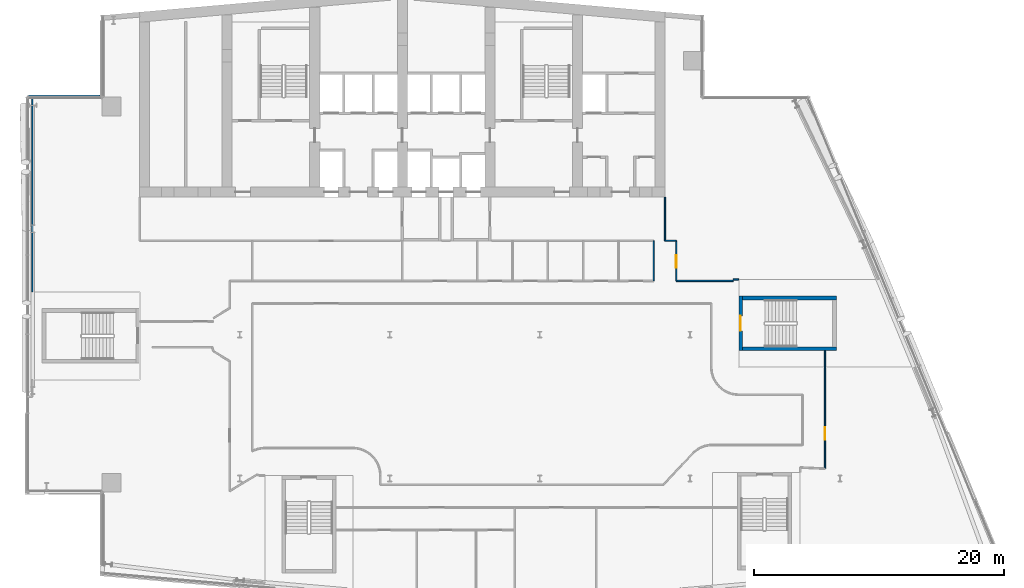
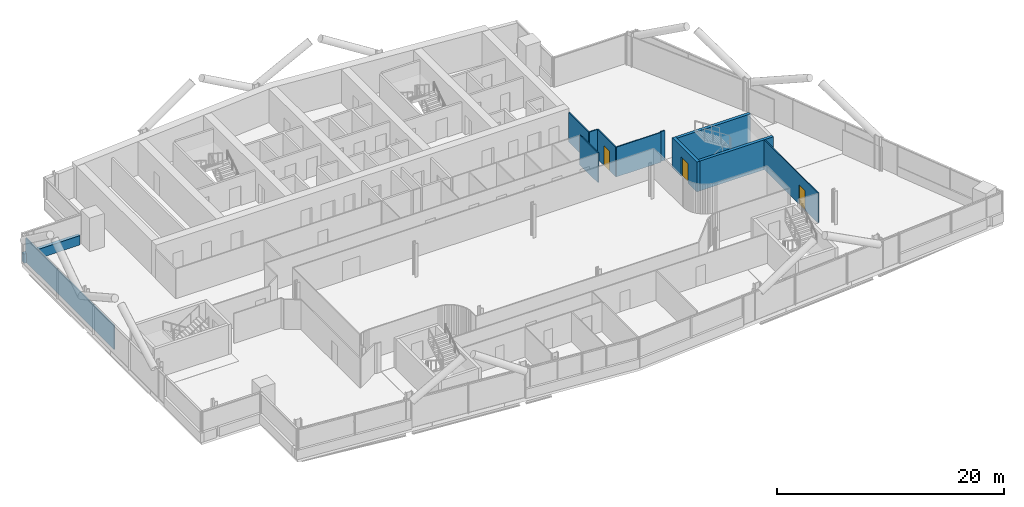
# One storey, part 19 of 29: 12 walls, 3 doors, 3 openings.
"""IFC4 building model written with IfcOpenShell, lengths in metres."""

from ifc_helpers import new_model, si_unit, direction, frame, frame_2d, origin, place, context, subcontext, project, spatial, rectangle, extrude, material, layer, layer_set, type_object, element, fill, save


model = new_model("IFC4")

# Units and contexts
model_context = context("Model", 3, precision=1e-05, world=origin(), true_north=direction((0.0, 1.0)))
body_context = subcontext(model_context, "Body", "Model", "MODEL_VIEW")
ifc_project = project(units=[si_unit("LENGTHUNIT", "METRE"), si_unit("AREAUNIT", "SQUARE_METRE"), si_unit("VOLUMEUNIT", "CUBIC_METRE"), si_unit("PLANEANGLEUNIT", "RADIAN"), si_unit("MASSUNIT", "GRAM", prefix="KILO")], contexts=[model_context])

# Site, building, storey
site_placement = place(None, origin())
site = spatial("IfcSite", under=ifc_project, at=site_placement, CompositionType="ELEMENT")
building_placement = place(site_placement, origin())
building = spatial("IfcBuilding", under=site, at=building_placement, Name="Wharfspan Tower", CompositionType="ELEMENT")
storey_placement = place(building_placement, frame((0.0, 0.0, 155.5)))
storey = spatial("IfcBuildingStorey", under=building, at=storey_placement, Name="L37", CompositionType="ELEMENT", Elevation=155.5)

# Walls
ifc_material_1 = material(Name="Gypsum board on steel studs", Category="steel")
ifc_layer_1 = layer(ifc_material_1, 0.100098)
ifc_layer_set_1 = layer_set([ifc_layer_1], Name="Gypsum board on steel studs")
wall_type_1 = type_object("IfcWallType", Name="Compartment wall 100 EI 60", PredefinedType="PARTITIONING", material=ifc_layer_set_1)
wall_1_placement = place(storey_placement, frame((57.100098, 27.300049, 0.0), z_axis=(0.0, 0.0, 1.0), x_axis=(0.0, 1.0, 0.0)))
element("IfcWall", 1, at=wall_1_placement, inside=storey, type_object=wall_type_1, Name="Partition L37.w062", PredefinedType="PARTITIONING", context=body_context, shape_type="SweptSolid", body=[
    extrude(rectangle(XDim=3.199951, YDim=0.100098, at=frame_2d((1.600098, 0.0))), origin(), (0.0, 0.0, 1.0), 3.199951),
])
wall_2_placement = place(storey_placement, frame((58.0, 30.5, 0.0), z_axis=(0.0, 0.0, 1.0), x_axis=(0.0, 1.0, 0.0)))
element("IfcWall", 2, at=wall_2_placement, inside=storey, type_object=wall_type_1, Name="Partition L37.w064", PredefinedType="PARTITIONING", context=body_context, shape_type="SweptSolid", body=[
    extrude(rectangle(XDim=3.47998, YDim=0.100098, at=frame_2d((1.73999, 0.0))), origin(), (0.0, 0.0, 1.0), 3.199951),
])
wall_3_placement = place(storey_placement, frame((58.0, 30.5, 0.0), z_axis=(0.0, 0.0, 1.0), x_axis=(1.0, 0.0, 0.0)))
element("IfcWall", 3, at=wall_3_placement, inside=storey, type_object=wall_type_1, Name="Partition L37.w065", PredefinedType="PARTITIONING", context=body_context, shape_type="SweptSolid", body=[
    extrude(rectangle(XDim=0.899902, YDim=0.100098, at=frame_2d((0.449951, 0.0))), origin(), (0.0, 0.0, 1.0), 3.199951),
])

# Wall, opening, door
wall_4_placement = place(storey_placement, frame((58.899902, 27.300049, 0.0), z_axis=(0.0, 0.0, 1.0), x_axis=(0.0, 1.0, 0.0)))
wall_4 = element("IfcWall", 4, at=wall_4_placement, inside=storey, type_object=wall_type_1, Name="Partition L37.w067", PredefinedType="PARTITIONING", context=body_context, shape_type="SweptSolid", body=[
    extrude(rectangle(XDim=3.199951, YDim=0.100098, at=frame_2d((1.600098, 0.0))), origin(), (0.0, 0.0, 1.0), 3.199951),
])
opening_1_placement = place(wall_4_placement, frame((1.044922, 0.0, 0.0)))
opening_1 = element("IfcOpeningElement", 5, at=opening_1_placement, cuts=wall_4, Name="Opening C2-17", PredefinedType="OPENING", context=body_context, shape_type="SweptSolid", body=[
    extrude(rectangle(XDim=1.0, YDim=2.100098, at=frame_2d((0.5, 1.050049))), frame((0.0, 0.060059, 0.0), z_axis=(0.0, -1.0, 0.0), x_axis=(1.0, 0.0, 0.0)), (0.0, 0.0, 1.0), 0.120117),
])
ifc_material_2 = material(Name="Fire-rated timber door leaf in steel frame", Category="steel")
door_type_1 = type_object("IfcDoorType", Name="Door 1000 FD30S Left", OperationType="SINGLE_SWING_LEFT", PredefinedType="DOOR", material=ifc_material_2)
door_1_placement = place(opening_1_placement, origin())
door_1 = element("IfcDoor", 6, at=door_1_placement, inside=storey, type_object=door_type_1, Name="Door C2-17", OperationType="SINGLE_SWING_LEFT", OverallHeight=2.100098, OverallWidth=1.0, PredefinedType="DOOR", context=body_context, shape_type="SweptSolid", body=[
    extrude(rectangle(XDim=1.0, YDim=2.100098, at=frame_2d((0.5, 1.050049))), frame((0.0, 0.024902, 0.0), z_axis=(0.0, -1.0, 0.0), x_axis=(1.0, 0.0, 0.0)), (0.0, 0.0, 1.0), 0.050049),
])
fill(opening_1, door_1)

# Walls
wall_5_placement = place(storey_placement, frame((58.899902, 27.300049, 0.0), z_axis=(0.0, 0.0, 1.0), x_axis=(1.0, 0.0, 0.0)))
element("IfcWall", 7, at=wall_5_placement, inside=storey, type_object=wall_type_1, Name="Partition L37.w068", PredefinedType="PARTITIONING", context=body_context, shape_type="SweptSolid", body=[
    extrude(rectangle(XDim=4.555176, YDim=0.100098, at=frame_2d((2.277588, 0.0))), origin(), (0.0, 0.0, 1.0), 3.199951),
])
wall_6_placement = place(storey_placement, frame((63.455078, 27.399902, 0.0), z_axis=(0.0, 0.0, 1.0), x_axis=(1.0, 0.0, 0.0)))
element("IfcWall", 8, at=wall_6_placement, inside=storey, type_object=wall_type_1, Name="Partition L37.w092", PredefinedType="PARTITIONING", context=body_context, shape_type="SweptSolid", body=[
    extrude(rectangle(XDim=0.429443, YDim=0.100098, at=frame_2d((0.214844, 0.0))), origin(), (0.0, 0.0, 1.0), 3.199951),
])

# Wall, opening, door
wall_7_placement = place(storey_placement, frame((70.800049, 12.284912, 0.0), z_axis=(0.0, 0.0, 1.0), x_axis=(0.0, 1.0, 0.0)))
wall_7 = element("IfcWall", 9, at=wall_7_placement, inside=storey, type_object=wall_type_1, Name="Partition L37.w102", PredefinedType="PARTITIONING", context=body_context, shape_type="SweptSolid", body=[
    extrude(rectangle(XDim=9.440186, YDim=0.100098, at=frame_2d((4.720215, 0.0))), origin(), (0.0, 0.0, 1.0), 3.199951),
])
opening_2_placement = place(wall_7_placement, frame((2.307617, 0.0, 0.0)))
opening_2 = element("IfcOpeningElement", 10, at=opening_2_placement, cuts=wall_7, Name="Opening C2-08", PredefinedType="OPENING", context=body_context, shape_type="SweptSolid", body=[
    extrude(rectangle(XDim=1.0, YDim=2.100098, at=frame_2d((0.5, 1.050049))), frame((0.0, 0.060059, 0.0), z_axis=(0.0, -1.0, 0.0), x_axis=(1.0, 0.0, 0.0)), (0.0, 0.0, 1.0), 0.120117),
])
door_2_placement = place(opening_2_placement, origin())
door_2 = element("IfcDoor", 11, at=door_2_placement, inside=storey, type_object=door_type_1, Name="Door C2-08", OperationType="SINGLE_SWING_LEFT", OverallHeight=2.100098, OverallWidth=1.0, PredefinedType="DOOR", context=body_context, shape_type="SweptSolid", body=[
    extrude(rectangle(XDim=1.0, YDim=2.100098, at=frame_2d((0.5, 1.050049))), frame((0.0, 0.024902, 0.0), z_axis=(0.0, -1.0, 0.0), x_axis=(1.0, 0.0, 0.0)), (0.0, 0.0, 1.0), 0.050049),
])
fill(opening_2, door_2)

# Walls
ifc_layer_2 = layer(ifc_material_1, 0.100098)
ifc_layer_set_2 = layer_set([ifc_layer_2], Name="Gypsum board on steel studs")
wall_type_2 = type_object("IfcWallType", Name="Partition 100", PredefinedType="PARTITIONING", material=ifc_layer_set_2)
wall_8_placement = place(storey_placement, frame((7.419922, 26.419922, 0.0), z_axis=(0.0, 0.0, 1.0), x_axis=(0.0, 1.0, 0.0)))
element("IfcWall", 12, at=wall_8_placement, inside=storey, type_object=wall_type_2, Name="Partition L37.w003", PredefinedType="PARTITIONING", context=body_context, shape_type="SweptSolid", body=[
    extrude(rectangle(XDim=15.560059, YDim=0.100098, at=frame_2d((7.780029, 0.0))), origin(), (0.0, 0.0, 1.0), 2.580078),
])
ifc_material_3 = material(Name="Concrete C40/50", Category="concrete")
ifc_layer_3 = layer(ifc_material_3, 0.350098)
ifc_layer_set_3 = layer_set([ifc_layer_3], Name="Concrete C40/50")
wall_type_3 = type_object("IfcWallType", Name="SPANDREL EXPOSED CONCRETE 350", PredefinedType="SOLIDWALL", material=ifc_layer_set_3)
wall_9_placement = place(storey_placement, frame((12.820068, 42.004883, 0.0), z_axis=(0.0, 0.0, 1.0), x_axis=(-1.0, 0.0, 0.0)))
element("IfcWall", 13, at=wall_9_placement, inside=storey, type_object=wall_type_3, Name="Spandrel upstand L37 NRW-H", PredefinedType="SOLIDWALL", context=body_context, shape_type="SweptSolid", body=[
    extrude(rectangle(XDim=5.699951, YDim=0.350098, at=frame_2d((2.850098, 0.0))), origin(), (0.0, 0.0, 1.0), 1.0),
])

# Wall, opening, door
ifc_layer_4 = layer(ifc_material_3, 0.300049)
ifc_layer_set_4 = layer_set([ifc_layer_4], Name="Concrete C40/50")
wall_type_4 = type_object("IfcWallType", Name="Stair core wall 300", PredefinedType="SHEAR", material=ifc_layer_set_4)
wall_10_placement = place(storey_placement, frame((64.054688, 21.725098, 0.0), z_axis=(0.0, 0.0, 1.0), x_axis=(0.0, 1.0, 0.0)))
wall_10 = element("IfcWall", 14, at=wall_10_placement, inside=storey, type_object=wall_type_4, Name="ST6 stair enclosure wall L37", PredefinedType="SHEAR", context=body_context, shape_type="SweptSolid", body=[
    extrude(rectangle(XDim=4.349854, YDim=0.300049, at=frame_2d((2.174805, 0.0))), origin(), (0.0, 0.0, 1.0), 3.199951),
])
opening_3_placement = place(wall_10_placement, frame((1.574951, 0.0, 0.0)))
opening_3 = element("IfcOpeningElement", 15, at=opening_3_placement, cuts=wall_10, Name="Opening SD6.L37", PredefinedType="OPENING", context=body_context, shape_type="SweptSolid", body=[
    extrude(rectangle(XDim=1.199951, YDim=2.100098, at=frame_2d((0.600098, 1.050049))), frame((0.0, 0.159912, 0.0), z_axis=(0.0, -1.0, 0.0), x_axis=(1.0, 0.0, 0.0)), (0.0, 0.0, 1.0), 0.320068),
])
ifc_material_4 = material(Name="Steel door leaf", Category="steel")
door_type_2 = type_object("IfcDoorType", Name="Stair door 1200x2100", OperationType="SINGLE_SWING_LEFT", PredefinedType="DOOR", material=ifc_material_4)
door_3_placement = place(opening_3_placement, origin())
door_3 = element("IfcDoor", 16, at=door_3_placement, inside=storey, type_object=door_type_2, Name="sd:L37:ST6z3", OperationType="SINGLE_SWING_RIGHT", OverallHeight=2.100098, OverallWidth=1.199951, PredefinedType="DOOR", context=body_context, shape_type="SweptSolid", body=[
    extrude(rectangle(XDim=1.199951, YDim=2.100098, at=frame_2d((0.600098, 1.050049))), frame((0.0, 0.024902, 0.0), z_axis=(0.0, -1.0, 0.0), x_axis=(1.0, 0.0, 0.0)), (0.0, 0.0, 1.0), 0.050049),
])
fill(opening_3, door_3)

# Walls
for number, where, z_axis, x_axis, name in (
    (17, (64.20459, 21.875, 0.0), (0.0, 0.0, 1.0), (1.0, 0.0, 0.0), "ST6 stair enclosure wall L37"),
    (18, (64.20459, 25.925049, 0.0), (0.0, 0.0, 1.0), (1.0, 0.0, 0.0), "ST6 stair enclosure wall L37"),
):
    element("IfcWall", number, at=place(storey_placement, frame(where, z_axis=z_axis, x_axis=x_axis)), inside=storey, type_object=wall_type_4, Name=name, PredefinedType="SHEAR", context=body_context, shape_type="SweptSolid", body=[
        extrude(rectangle(XDim=7.5, YDim=0.300049, at=frame_2d((3.75, 0.0))), origin(), (0.0, 0.0, 1.0), 3.199951),
    ])

save(model, "model.ifc")
